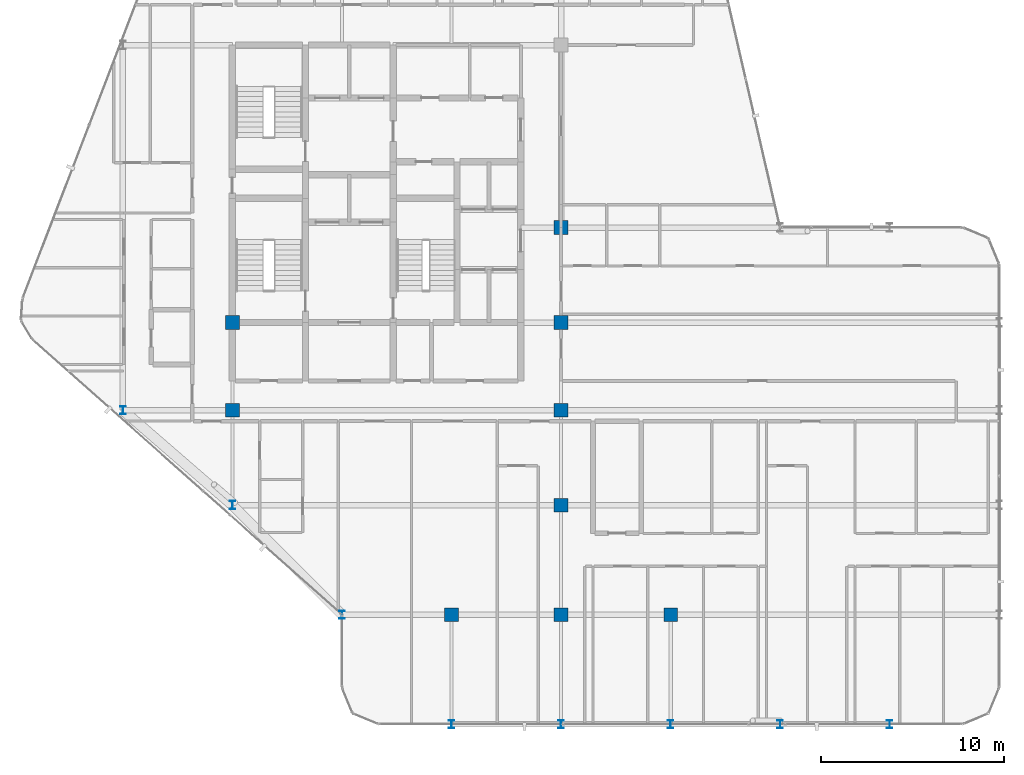
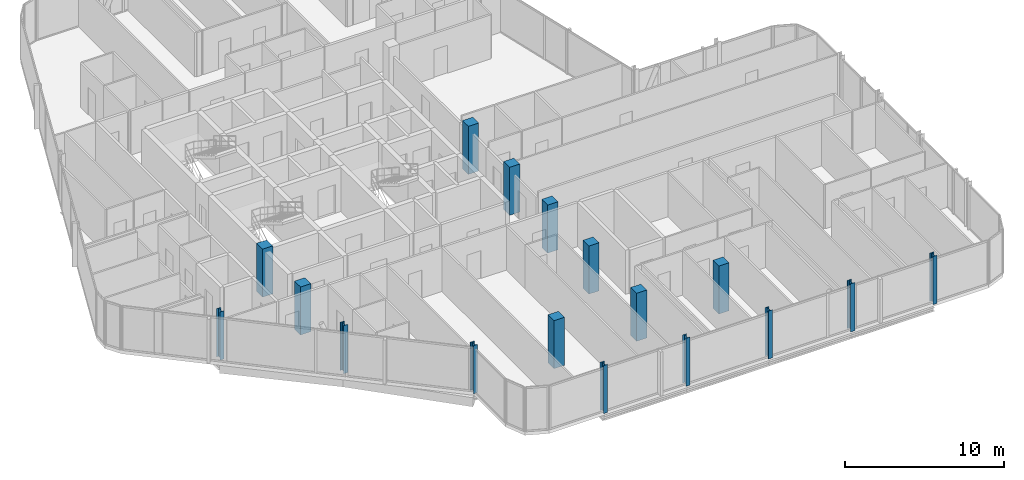
# One storey, part 1 of 29: 17 columns.
"""IFC4 building model written with IfcOpenShell, lengths in metres."""

from ifc_helpers import new_model, si_unit, direction, frame, origin, origin_2d, place, context, subcontext, project, spatial, rectangle, i_section, extrude, material, material_profile, profile_set, type_object, element, save


model = new_model("IFC4")

# Units and contexts
model_context = context("Model", 3, precision=1e-05, world=origin(), true_north=direction((0.0, 1.0)))
body_context = subcontext(model_context, "Body", "Model", "MODEL_VIEW")
ifc_project = project(units=[si_unit("LENGTHUNIT", "METRE"), si_unit("AREAUNIT", "SQUARE_METRE"), si_unit("VOLUMEUNIT", "CUBIC_METRE"), si_unit("PLANEANGLEUNIT", "RADIAN"), si_unit("MASSUNIT", "GRAM", prefix="KILO")], contexts=[model_context])

# Site, building, storey
site_placement = place(None, origin())
site = spatial("IfcSite", under=ifc_project, at=site_placement, CompositionType="ELEMENT")
building_placement = place(site_placement, origin())
building = spatial("IfcBuilding", under=site, at=building_placement, Name="Keshet Zoharim Tower", CompositionType="ELEMENT")
storey_placement = place(building_placement, frame((0.0, 0.0, 210.60009765625)))
storey = spatial("IfcBuildingStorey", under=building, at=storey_placement, Name="L52", CompositionType="ELEMENT", Elevation=210.60009765625)

# Columns
ifc_material_1 = material(Name="Steel S355", Category="steel")
ifc_material_profile_1 = material_profile(ifc_material_1, i_section(OverallWidth=0.300048828125, OverallDepth=0.449951171875, WebThickness=0.013916015625, FlangeThickness=0.02587890625, FilletRadius=0.027099609375, at=origin_2d()), Name="HEB450")
ifc_profile_set_1 = profile_set([ifc_material_profile_1], Name="Steel S355")
column_type_1 = type_object("IfcColumnType", Name="COL-HEB450", PredefinedType="COLUMN", material=ifc_profile_set_1)
for number, where, z_axis, x_axis, name in (
    (1, (9.0, 17.89990234375, 0.0), (0.0, 0.0, 1.0), (1.0, 0.0, 0.0), "L52 Column 2D"),
    (2, (15.0, 12.699951171875, 0.0), (0.0, 0.0, 1.0), (1.0, 0.0, 0.0), "L52 Column 3C"),
    (3, (21.0, 6.699951171875, 0.0), (0.0, 0.0, 1.0), (1.0, 0.0, 0.0), "L52 Column 4B"),
    (4, (27.0, 0.699951171875, 0.0), (0.0, 0.0, 1.0), (1.0, 0.0, 0.0), "L52 Column 5A"),
    (5, (33.0, 0.699951171875, 0.0), (0.0, 0.0, 1.0), (1.0, 0.0, 0.0), "L52 Column 6A"),
    (6, (39.0, 0.699951171875, 0.0), (0.0, 0.0, 1.0), (1.0, 0.0, 0.0), "L52 Column 7A"),
    (7, (45.0, 0.699951171875, 0.0), (0.0, 0.0, 1.0), (1.0, 0.0, 0.0), "L52 Column 8A"),
    (8, (51.0, 0.699951171875, 0.0), (0.0, 0.0, 1.0), (1.0, 0.0, 0.0), "L52 Column 9A"),
):
    element("IfcColumn", number, at=place(storey_placement, frame(where, z_axis=z_axis, x_axis=x_axis)), inside=storey, type_object=column_type_1, Name=name, PredefinedType="COLUMN", context=body_context, shape_type="SweptSolid", body=[
        extrude(i_section(OverallWidth=0.300048828125, OverallDepth=0.449951171875, WebThickness=0.013916015625, FlangeThickness=0.02587890625, FilletRadius=0.027099609375, at=origin_2d()), origin(), (0.0, 0.0, 1.0), 3.699951171875),
    ])
ifc_material_2 = material(Name="Concrete C50/60", Category="concrete")
ifc_material_profile_2 = material_profile(ifc_material_2, rectangle(XDim=0.75, YDim=0.75, at=origin_2d()), Name="RC750x750")
ifc_profile_set_2 = profile_set([ifc_material_profile_2], Name="Concrete C50/60")
column_type_2 = type_object("IfcColumnType", Name="COL-RC750", PredefinedType="COLUMN", material=ifc_profile_set_2)
for number, where, z_axis, x_axis, name in (
    (9, (15.0, 17.89990234375, 0.0), (0.0, 0.0, 1.0), (1.0, 0.0, 0.0), "L52 Column 3D"),
    (10, (15.0, 22.699951171875, 0.0), (0.0, 0.0, 1.0), (1.0, 0.0, 0.0), "L52 Column 3E"),
    (11, (27.0, 6.699951171875, 0.0), (0.0, 0.0, 1.0), (1.0, 0.0, 0.0), "L52 Column 5B"),
    (12, (33.0, 6.699951171875, 0.0), (0.0, 0.0, 1.0), (1.0, 0.0, 0.0), "L52 Column 6B"),
    (13, (33.0, 12.699951171875, 0.0), (0.0, 0.0, 1.0), (1.0, 0.0, 0.0), "L52 Column 6C"),
    (14, (33.0, 17.89990234375, 0.0), (0.0, 0.0, 1.0), (1.0, 0.0, 0.0), "L52 Column 6D"),
    (15, (33.0, 22.699951171875, 0.0), (0.0, 0.0, 1.0), (1.0, 0.0, 0.0), "L52 Column 6E"),
    (16, (33.0, 27.89990234375, 0.0), (0.0, 0.0, 1.0), (1.0, 0.0, 0.0), "L52 Column 6F"),
    (17, (39.0, 6.699951171875, 0.0), (0.0, 0.0, 1.0), (1.0, 0.0, 0.0), "L52 Column 7B"),
):
    element("IfcColumn", number, at=place(storey_placement, frame(where, z_axis=z_axis, x_axis=x_axis)), inside=storey, type_object=column_type_2, Name=name, PredefinedType="COLUMN", context=body_context, shape_type="SweptSolid", body=[
        extrude(rectangle(XDim=0.75, YDim=0.75, at=origin_2d()), origin(), (0.0, 0.0, 1.0), 3.699951171875),
    ])

save(model, "model.ifc")
